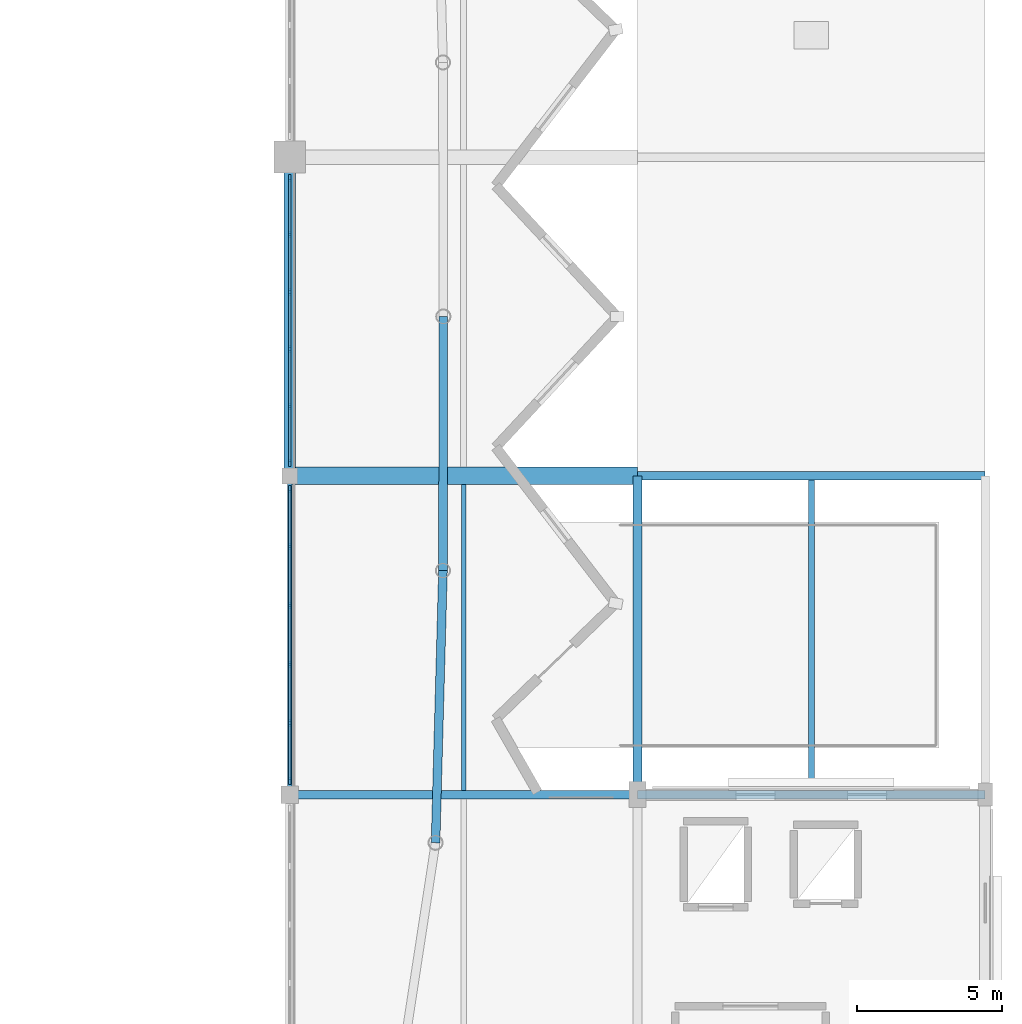
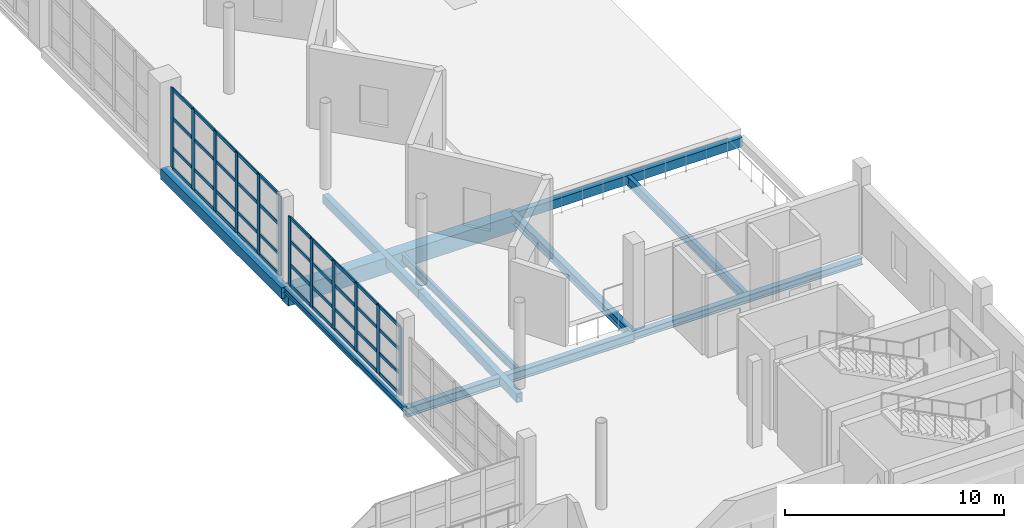
# One storey, part 19 of 53: 52 members, 11 beams, 2 elements without a shape of their own.
"""IFC4 building model written with IfcOpenShell, lengths in metres."""

from ifc_helpers import new_model, si_unit, direction, frame, origin, origin_2d, place, context, subcontext, project, spatial, rectangle, hollow_rectangle, i_section, extrude, material, material_profile, profile_set, type_object, element, aggregate, save


model = new_model("IFC4")

# Units and contexts
model_context = context("Model", 3, precision=1e-05, world=origin(), true_north=direction((0.0, 1.0)))
body_context = subcontext(model_context, "Body", "Model", "MODEL_VIEW")
ifc_project = project(units=[si_unit("LENGTHUNIT", "METRE"), si_unit("AREAUNIT", "SQUARE_METRE"), si_unit("VOLUMEUNIT", "CUBIC_METRE"), si_unit("PLANEANGLEUNIT", "RADIAN"), si_unit("MASSUNIT", "GRAM", prefix="KILO")], contexts=[model_context])

# Site, building, storey
site_placement = place(None, origin())
site = spatial("IfcSite", under=ifc_project, at=site_placement, CompositionType="ELEMENT")
building_placement = place(site_placement, origin())
building = spatial("IfcBuilding", under=site, at=building_placement, Name="Luwafu Chhajja Arena", CompositionType="ELEMENT")
storey_placement = place(building_placement, frame((0.0, 0.0, 19.5)))
storey = spatial("IfcBuildingStorey", under=building, at=storey_placement, Name="L04", CompositionType="ELEMENT", Elevation=19.5)

# Curtain wall, members
ifc_material_1 = material(Name="Anodised bronze aluminium", Category="aluminium")
curtain_wall_type = type_object("IfcCurtainWallType", Name="Media Ribbon Curtain Wall", PredefinedType="USERDEFINED", material=ifc_material_1)
curtain_wall_1_placement = place(storey_placement, origin())
curtain_wall_1 = element("IfcCurtainWall", 1, at=curtain_wall_1_placement, inside=storey, type_object=curtain_wall_type, Name="L04 Bowl Viewing Curtain Wall CWR-L04-21", ObjectType="CURTAIN WALL", PredefinedType="USERDEFINED")
ifc_material_profile_1 = material_profile(ifc_material_1, rectangle(XDim=0.070068359375, YDim=0.239990234375, at=origin_2d()), Name="CWM 70x240")
ifc_profile_set_1 = profile_set([ifc_material_profile_1], Name="Anodised bronze aluminium")
member_type_1 = type_object("IfcMemberType", Name="Bronze Curtain Wall Mullion 70x240", PredefinedType="MULLION", material=ifc_profile_set_1)
member_1_placement = place(storey_placement, frame((140.0, 33.47509765625, 0.0), z_axis=(0.0, 0.0, 1.0), x_axis=(-1.0, 0.0, 0.0)))
member_1 = element("IfcMember", 2, at=member_1_placement, type_object=member_type_1, Name="CW-03 mullion 1", PredefinedType="MULLION", context=body_context, shape_type="SweptSolid", body=[
    extrude(rectangle(XDim=0.070068359375, YDim=0.239990234375, at=origin_2d()), origin(), (0.0, 0.0, 1.0), 3.7900390625),
])
member_2_placement = place(storey_placement, frame((140.0, 35.468994140625, 0.0), z_axis=(0.0, 0.0, 1.0), x_axis=(-1.0, 0.0, 0.0)))
member_2 = element("IfcMember", 3, at=member_2_placement, type_object=member_type_1, Name="CW-03 mullion 2", PredefinedType="MULLION", context=body_context, shape_type="SweptSolid", body=[
    extrude(rectangle(XDim=0.070068359375, YDim=0.239990234375, at=origin_2d()), origin(), (0.0, 0.0, 1.0), 3.7900390625),
])
member_3_placement = place(storey_placement, frame((140.0, 37.498046875, 0.0), z_axis=(0.0, 0.0, 1.0), x_axis=(-1.0, 0.0, 0.0)))
member_3 = element("IfcMember", 4, at=member_3_placement, type_object=member_type_1, Name="CW-03 mullion 3", PredefinedType="MULLION", context=body_context, shape_type="SweptSolid", body=[
    extrude(rectangle(XDim=0.070068359375, YDim=0.239990234375, at=origin_2d()), origin(), (0.0, 0.0, 1.0), 3.7900390625),
])
member_4_placement = place(storey_placement, frame((140.0, 39.527099609375, 0.0), z_axis=(0.0, 0.0, 1.0), x_axis=(-1.0, 0.0, 0.0)))
member_4 = element("IfcMember", 5, at=member_4_placement, type_object=member_type_1, Name="CW-03 mullion 4", PredefinedType="MULLION", context=body_context, shape_type="SweptSolid", body=[
    extrude(rectangle(XDim=0.070068359375, YDim=0.239990234375, at=origin_2d()), origin(), (0.0, 0.0, 1.0), 3.7900390625),
])
member_5_placement = place(storey_placement, frame((140.0, 41.555908203125, 0.0), z_axis=(0.0, 0.0, 1.0), x_axis=(-1.0, 0.0, 0.0)))
member_5 = element("IfcMember", 6, at=member_5_placement, type_object=member_type_1, Name="CW-03 mullion 5", PredefinedType="MULLION", context=body_context, shape_type="SweptSolid", body=[
    extrude(rectangle(XDim=0.070068359375, YDim=0.239990234375, at=origin_2d()), origin(), (0.0, 0.0, 1.0), 3.7900390625),
])
member_6_placement = place(storey_placement, frame((140.0, 43.550048828125, 0.0), z_axis=(0.0, 0.0, 1.0), x_axis=(-1.0, 0.0, 0.0)))
member_6 = element("IfcMember", 7, at=member_6_placement, type_object=member_type_1, Name="CW-03 mullion 6", PredefinedType="MULLION", context=body_context, shape_type="SweptSolid", body=[
    extrude(rectangle(XDim=0.070068359375, YDim=0.239990234375, at=origin_2d()), origin(), (0.0, 0.0, 1.0), 3.7900390625),
])

curtain_wall_2_placement = place(storey_placement, origin())
curtain_wall_2 = element("IfcCurtainWall", 8, at=curtain_wall_2_placement, inside=storey, type_object=curtain_wall_type, Name="L04 Bowl Viewing Curtain Wall CWR-L04-22", ObjectType="CURTAIN WALL", PredefinedType="USERDEFINED")
member_7_placement = place(storey_placement, frame((140.0, 44.449951171875, 0.0), z_axis=(0.0, 0.0, 1.0), x_axis=(-1.0, 0.0, 0.0)))
member_7 = element("IfcMember", 9, at=member_7_placement, type_object=member_type_1, Name="CW-03 mullion 1", PredefinedType="MULLION", context=body_context, shape_type="SweptSolid", body=[
    extrude(rectangle(XDim=0.070068359375, YDim=0.239990234375, at=origin_2d()), origin(), (0.0, 0.0, 1.0), 4.4599609375),
])
member_8_placement = place(storey_placement, frame((140.0, 46.39404296875, 0.0), z_axis=(0.0, 0.0, 1.0), x_axis=(-1.0, 0.0, 0.0)))
member_8 = element("IfcMember", 10, at=member_8_placement, type_object=member_type_1, Name="CW-03 mullion 2", PredefinedType="MULLION", context=body_context, shape_type="SweptSolid", body=[
    extrude(rectangle(XDim=0.070068359375, YDim=0.239990234375, at=origin_2d()), origin(), (0.0, 0.0, 1.0), 4.4599609375),
])
member_9_placement = place(storey_placement, frame((140.0, 48.373046875, 0.0), z_axis=(0.0, 0.0, 1.0), x_axis=(-1.0, 0.0, 0.0)))
member_9 = element("IfcMember", 11, at=member_9_placement, type_object=member_type_1, Name="CW-03 mullion 3", PredefinedType="MULLION", context=body_context, shape_type="SweptSolid", body=[
    extrude(rectangle(XDim=0.070068359375, YDim=0.239990234375, at=origin_2d()), origin(), (0.0, 0.0, 1.0), 4.4599609375),
])
member_10_placement = place(storey_placement, frame((140.0, 50.35205078125, 0.0), z_axis=(0.0, 0.0, 1.0), x_axis=(-1.0, 0.0, 0.0)))
member_10 = element("IfcMember", 12, at=member_10_placement, type_object=member_type_1, Name="CW-03 mullion 4", PredefinedType="MULLION", context=body_context, shape_type="SweptSolid", body=[
    extrude(rectangle(XDim=0.070068359375, YDim=0.239990234375, at=origin_2d()), origin(), (0.0, 0.0, 1.0), 4.4599609375),
])
member_11_placement = place(storey_placement, frame((140.0, 52.3310546875, 0.0), z_axis=(0.0, 0.0, 1.0), x_axis=(-1.0, 0.0, 0.0)))
member_11 = element("IfcMember", 13, at=member_11_placement, type_object=member_type_1, Name="CW-03 mullion 5", PredefinedType="MULLION", context=body_context, shape_type="SweptSolid", body=[
    extrude(rectangle(XDim=0.070068359375, YDim=0.239990234375, at=origin_2d()), origin(), (0.0, 0.0, 1.0), 4.4599609375),
])
member_12_placement = place(storey_placement, frame((140.0, 54.27490234375, 0.0), z_axis=(0.0, 0.0, 1.0), x_axis=(-1.0, 0.0, 0.0)))
member_12 = element("IfcMember", 14, at=member_12_placement, type_object=member_type_1, Name="CW-03 mullion 6", PredefinedType="MULLION", context=body_context, shape_type="SweptSolid", body=[
    extrude(rectangle(XDim=0.070068359375, YDim=0.239990234375, at=origin_2d()), origin(), (0.0, 0.0, 1.0), 4.4599609375),
])

# Member
ifc_material_profile_2 = material_profile(ifc_material_1, rectangle(XDim=0.070068359375, YDim=0.179931640625, at=origin_2d()), Name="CWT 70x180")
ifc_profile_set_2 = profile_set([ifc_material_profile_2], Name="Anodised bronze aluminium")
member_type_2 = type_object("IfcMemberType", Name="Bronze Curtain Wall Transom 70x180", PredefinedType="USERDEFINED", material=ifc_profile_set_2)
member_13_placement = place(storey_placement, frame((140.0, 33.510009765625, 0.034912109375), z_axis=(0.0, 1.0, 0.0), x_axis=(-1.0, 0.0, 0.0)))
member_13 = element("IfcMember", 15, at=member_13_placement, type_object=member_type_2, Name="CW-03 transom 1.1", ObjectType="TRANSOM", PredefinedType="USERDEFINED", context=body_context, shape_type="SweptSolid", body=[
    extrude(rectangle(XDim=0.070068359375, YDim=0.179931640625, at=origin_2d()), origin(), (0.0, 0.0, 1.0), 1.924072265625),
])

member_14_placement = place(storey_placement, frame((140.0, 33.510009765625, 1.14990234375), z_axis=(0.0, 1.0, 0.0), x_axis=(-1.0, 0.0, 0.0)))
member_14 = element("IfcMember", 16, at=member_14_placement, type_object=member_type_2, Name="CW-03 transom 1.2", ObjectType="TRANSOM", PredefinedType="USERDEFINED", context=body_context, shape_type="SweptSolid", body=[
    extrude(rectangle(XDim=0.070068359375, YDim=0.179931640625, at=origin_2d()), origin(), (0.0, 0.0, 1.0), 1.924072265625),
])

member_15_placement = place(storey_placement, frame((140.0, 33.510009765625, 2.469970703125), z_axis=(0.0, 1.0, 0.0), x_axis=(-1.0, 0.0, 0.0)))
member_15 = element("IfcMember", 17, at=member_15_placement, type_object=member_type_2, Name="CW-03 transom 1.3", ObjectType="TRANSOM", PredefinedType="USERDEFINED", context=body_context, shape_type="SweptSolid", body=[
    extrude(rectangle(XDim=0.070068359375, YDim=0.179931640625, at=origin_2d()), origin(), (0.0, 0.0, 1.0), 1.924072265625),
])

member_16_placement = place(storey_placement, frame((140.0, 33.510009765625, 3.7548828125), z_axis=(0.0, 1.0, 0.0), x_axis=(-1.0, 0.0, 0.0)))
member_16 = element("IfcMember", 18, at=member_16_placement, type_object=member_type_2, Name="CW-03 transom 1.4", ObjectType="TRANSOM", PredefinedType="USERDEFINED", context=body_context, shape_type="SweptSolid", body=[
    extrude(rectangle(XDim=0.070068359375, YDim=0.179931640625, at=origin_2d()), origin(), (0.0, 0.0, 1.0), 1.924072265625),
])

member_17_placement = place(storey_placement, frame((140.0, 35.50390625, 0.034912109375), z_axis=(0.0, 1.0, 0.0), x_axis=(-1.0, 0.0, 0.0)))
member_17 = element("IfcMember", 19, at=member_17_placement, type_object=member_type_2, Name="CW-03 transom 2.1", ObjectType="TRANSOM", PredefinedType="USERDEFINED", context=body_context, shape_type="SweptSolid", body=[
    extrude(rectangle(XDim=0.070068359375, YDim=0.179931640625, at=origin_2d()), origin(), (0.0, 0.0, 1.0), 1.958984375),
])

member_18_placement = place(storey_placement, frame((140.0, 35.50390625, 1.14990234375), z_axis=(0.0, 1.0, 0.0), x_axis=(-1.0, 0.0, 0.0)))
member_18 = element("IfcMember", 20, at=member_18_placement, type_object=member_type_2, Name="CW-03 transom 2.2", ObjectType="TRANSOM", PredefinedType="USERDEFINED", context=body_context, shape_type="SweptSolid", body=[
    extrude(rectangle(XDim=0.070068359375, YDim=0.179931640625, at=origin_2d()), origin(), (0.0, 0.0, 1.0), 1.958984375),
])

member_19_placement = place(storey_placement, frame((140.0, 35.50390625, 2.469970703125), z_axis=(0.0, 1.0, 0.0), x_axis=(-1.0, 0.0, 0.0)))
member_19 = element("IfcMember", 21, at=member_19_placement, type_object=member_type_2, Name="CW-03 transom 2.3", ObjectType="TRANSOM", PredefinedType="USERDEFINED", context=body_context, shape_type="SweptSolid", body=[
    extrude(rectangle(XDim=0.070068359375, YDim=0.179931640625, at=origin_2d()), origin(), (0.0, 0.0, 1.0), 1.958984375),
])

member_20_placement = place(storey_placement, frame((140.0, 35.50390625, 3.7548828125), z_axis=(0.0, 1.0, 0.0), x_axis=(-1.0, 0.0, 0.0)))
member_20 = element("IfcMember", 22, at=member_20_placement, type_object=member_type_2, Name="CW-03 transom 2.4", ObjectType="TRANSOM", PredefinedType="USERDEFINED", context=body_context, shape_type="SweptSolid", body=[
    extrude(rectangle(XDim=0.070068359375, YDim=0.179931640625, at=origin_2d()), origin(), (0.0, 0.0, 1.0), 1.958984375),
])

member_21_placement = place(storey_placement, frame((140.0, 37.532958984375, 0.034912109375), z_axis=(0.0, 1.0, 0.0), x_axis=(-1.0, 0.0, 0.0)))
member_21 = element("IfcMember", 23, at=member_21_placement, type_object=member_type_2, Name="CW-03 transom 3.1", ObjectType="TRANSOM", PredefinedType="USERDEFINED", context=body_context, shape_type="SweptSolid", body=[
    extrude(rectangle(XDim=0.070068359375, YDim=0.179931640625, at=origin_2d()), origin(), (0.0, 0.0, 1.0), 1.958984375),
])

member_22_placement = place(storey_placement, frame((140.0, 37.532958984375, 1.14990234375), z_axis=(0.0, 1.0, 0.0), x_axis=(-1.0, 0.0, 0.0)))
member_22 = element("IfcMember", 24, at=member_22_placement, type_object=member_type_2, Name="CW-03 transom 3.2", ObjectType="TRANSOM", PredefinedType="USERDEFINED", context=body_context, shape_type="SweptSolid", body=[
    extrude(rectangle(XDim=0.070068359375, YDim=0.179931640625, at=origin_2d()), origin(), (0.0, 0.0, 1.0), 1.958984375),
])

member_23_placement = place(storey_placement, frame((140.0, 37.532958984375, 2.469970703125), z_axis=(0.0, 1.0, 0.0), x_axis=(-1.0, 0.0, 0.0)))
member_23 = element("IfcMember", 25, at=member_23_placement, type_object=member_type_2, Name="CW-03 transom 3.3", ObjectType="TRANSOM", PredefinedType="USERDEFINED", context=body_context, shape_type="SweptSolid", body=[
    extrude(rectangle(XDim=0.070068359375, YDim=0.179931640625, at=origin_2d()), origin(), (0.0, 0.0, 1.0), 1.958984375),
])

member_24_placement = place(storey_placement, frame((140.0, 37.532958984375, 3.7548828125), z_axis=(0.0, 1.0, 0.0), x_axis=(-1.0, 0.0, 0.0)))
member_24 = element("IfcMember", 26, at=member_24_placement, type_object=member_type_2, Name="CW-03 transom 3.4", ObjectType="TRANSOM", PredefinedType="USERDEFINED", context=body_context, shape_type="SweptSolid", body=[
    extrude(rectangle(XDim=0.070068359375, YDim=0.179931640625, at=origin_2d()), origin(), (0.0, 0.0, 1.0), 1.958984375),
])

member_25_placement = place(storey_placement, frame((140.0, 39.56201171875, 0.034912109375), z_axis=(0.0, 1.0, 0.0), x_axis=(-1.0, 0.0, 0.0)))
member_25 = element("IfcMember", 27, at=member_25_placement, type_object=member_type_2, Name="CW-03 transom 4.1", ObjectType="TRANSOM", PredefinedType="USERDEFINED", context=body_context, shape_type="SweptSolid", body=[
    extrude(rectangle(XDim=0.070068359375, YDim=0.179931640625, at=origin_2d()), origin(), (0.0, 0.0, 1.0), 1.958984375),
])

member_26_placement = place(storey_placement, frame((140.0, 39.56201171875, 1.14990234375), z_axis=(0.0, 1.0, 0.0), x_axis=(-1.0, 0.0, 0.0)))
member_26 = element("IfcMember", 28, at=member_26_placement, type_object=member_type_2, Name="CW-03 transom 4.2", ObjectType="TRANSOM", PredefinedType="USERDEFINED", context=body_context, shape_type="SweptSolid", body=[
    extrude(rectangle(XDim=0.070068359375, YDim=0.179931640625, at=origin_2d()), origin(), (0.0, 0.0, 1.0), 1.958984375),
])

member_27_placement = place(storey_placement, frame((140.0, 39.56201171875, 2.469970703125), z_axis=(0.0, 1.0, 0.0), x_axis=(-1.0, 0.0, 0.0)))
member_27 = element("IfcMember", 29, at=member_27_placement, type_object=member_type_2, Name="CW-03 transom 4.3", ObjectType="TRANSOM", PredefinedType="USERDEFINED", context=body_context, shape_type="SweptSolid", body=[
    extrude(rectangle(XDim=0.070068359375, YDim=0.179931640625, at=origin_2d()), origin(), (0.0, 0.0, 1.0), 1.958984375),
])

member_28_placement = place(storey_placement, frame((140.0, 39.56201171875, 3.7548828125), z_axis=(0.0, 1.0, 0.0), x_axis=(-1.0, 0.0, 0.0)))
member_28 = element("IfcMember", 30, at=member_28_placement, type_object=member_type_2, Name="CW-03 transom 4.4", ObjectType="TRANSOM", PredefinedType="USERDEFINED", context=body_context, shape_type="SweptSolid", body=[
    extrude(rectangle(XDim=0.070068359375, YDim=0.179931640625, at=origin_2d()), origin(), (0.0, 0.0, 1.0), 1.958984375),
])

member_29_placement = place(storey_placement, frame((140.0, 41.591064453125, 0.034912109375), z_axis=(0.0, 1.0, 0.0), x_axis=(-1.0, 0.0, 0.0)))
member_29 = element("IfcMember", 31, at=member_29_placement, type_object=member_type_2, Name="CW-03 transom 5.1", ObjectType="TRANSOM", PredefinedType="USERDEFINED", context=body_context, shape_type="SweptSolid", body=[
    extrude(rectangle(XDim=0.070068359375, YDim=0.179931640625, at=origin_2d()), origin(), (0.0, 0.0, 1.0), 1.923828125),
])

member_30_placement = place(storey_placement, frame((140.0, 41.591064453125, 1.14990234375), z_axis=(0.0, 1.0, 0.0), x_axis=(-1.0, 0.0, 0.0)))
member_30 = element("IfcMember", 32, at=member_30_placement, type_object=member_type_2, Name="CW-03 transom 5.2", ObjectType="TRANSOM", PredefinedType="USERDEFINED", context=body_context, shape_type="SweptSolid", body=[
    extrude(rectangle(XDim=0.070068359375, YDim=0.179931640625, at=origin_2d()), origin(), (0.0, 0.0, 1.0), 1.923828125),
])

member_31_placement = place(storey_placement, frame((140.0, 41.591064453125, 2.469970703125), z_axis=(0.0, 1.0, 0.0), x_axis=(-1.0, 0.0, 0.0)))
member_31 = element("IfcMember", 33, at=member_31_placement, type_object=member_type_2, Name="CW-03 transom 5.3", ObjectType="TRANSOM", PredefinedType="USERDEFINED", context=body_context, shape_type="SweptSolid", body=[
    extrude(rectangle(XDim=0.070068359375, YDim=0.179931640625, at=origin_2d()), origin(), (0.0, 0.0, 1.0), 1.923828125),
])

member_32_placement = place(storey_placement, frame((140.0, 41.591064453125, 3.7548828125), z_axis=(0.0, 1.0, 0.0), x_axis=(-1.0, 0.0, 0.0)))
member_32 = element("IfcMember", 34, at=member_32_placement, type_object=member_type_2, Name="CW-03 transom 5.4", ObjectType="TRANSOM", PredefinedType="USERDEFINED", context=body_context, shape_type="SweptSolid", body=[
    extrude(rectangle(XDim=0.070068359375, YDim=0.179931640625, at=origin_2d()), origin(), (0.0, 0.0, 1.0), 1.923828125),
])

aggregate(curtain_wall_1, [member_1, member_2, member_3, member_4, member_5, member_6, member_13, member_14, member_15, member_16, member_17, member_18, member_19, member_20, member_21, member_22, member_23, member_24, member_25, member_26, member_27, member_28, member_29, member_30, member_31, member_32])

member_33_placement = place(storey_placement, frame((140.0, 44.485107421875, 0.034912109375), z_axis=(0.0, 1.0, 0.0), x_axis=(-1.0, 0.0, 0.0)))
member_33 = element("IfcMember", 35, at=member_33_placement, type_object=member_type_2, Name="CW-03 transom 1.1", ObjectType="TRANSOM", PredefinedType="USERDEFINED", context=body_context, shape_type="SweptSolid", body=[
    extrude(rectangle(XDim=0.070068359375, YDim=0.179931640625, at=origin_2d()), origin(), (0.0, 0.0, 1.0), 1.873779296875),
])

member_34_placement = place(storey_placement, frame((140.0, 44.485107421875, 1.14990234375), z_axis=(0.0, 1.0, 0.0), x_axis=(-1.0, 0.0, 0.0)))
member_34 = element("IfcMember", 36, at=member_34_placement, type_object=member_type_2, Name="CW-03 transom 1.2", ObjectType="TRANSOM", PredefinedType="USERDEFINED", context=body_context, shape_type="SweptSolid", body=[
    extrude(rectangle(XDim=0.070068359375, YDim=0.179931640625, at=origin_2d()), origin(), (0.0, 0.0, 1.0), 1.873779296875),
])

member_35_placement = place(storey_placement, frame((140.0, 44.485107421875, 2.804931640625), z_axis=(0.0, 1.0, 0.0), x_axis=(-1.0, 0.0, 0.0)))
member_35 = element("IfcMember", 37, at=member_35_placement, type_object=member_type_2, Name="CW-03 transom 1.3", ObjectType="TRANSOM", PredefinedType="USERDEFINED", context=body_context, shape_type="SweptSolid", body=[
    extrude(rectangle(XDim=0.070068359375, YDim=0.179931640625, at=origin_2d()), origin(), (0.0, 0.0, 1.0), 1.873779296875),
])

member_36_placement = place(storey_placement, frame((140.0, 44.485107421875, 4.425048828125), z_axis=(0.0, 1.0, 0.0), x_axis=(-1.0, 0.0, 0.0)))
member_36 = element("IfcMember", 38, at=member_36_placement, type_object=member_type_2, Name="CW-03 transom 1.4", ObjectType="TRANSOM", PredefinedType="USERDEFINED", context=body_context, shape_type="SweptSolid", body=[
    extrude(rectangle(XDim=0.070068359375, YDim=0.179931640625, at=origin_2d()), origin(), (0.0, 0.0, 1.0), 1.873779296875),
])

member_37_placement = place(storey_placement, frame((140.0, 46.428955078125, 0.034912109375), z_axis=(0.0, 1.0, 0.0), x_axis=(-1.0, 0.0, 0.0)))
member_37 = element("IfcMember", 39, at=member_37_placement, type_object=member_type_2, Name="CW-03 transom 2.1", ObjectType="TRANSOM", PredefinedType="USERDEFINED", context=body_context, shape_type="SweptSolid", body=[
    extrude(rectangle(XDim=0.070068359375, YDim=0.179931640625, at=origin_2d()), origin(), (0.0, 0.0, 1.0), 1.908935546875),
])

member_38_placement = place(storey_placement, frame((140.0, 46.428955078125, 1.14990234375), z_axis=(0.0, 1.0, 0.0), x_axis=(-1.0, 0.0, 0.0)))
member_38 = element("IfcMember", 40, at=member_38_placement, type_object=member_type_2, Name="CW-03 transom 2.2", ObjectType="TRANSOM", PredefinedType="USERDEFINED", context=body_context, shape_type="SweptSolid", body=[
    extrude(rectangle(XDim=0.070068359375, YDim=0.179931640625, at=origin_2d()), origin(), (0.0, 0.0, 1.0), 1.908935546875),
])

member_39_placement = place(storey_placement, frame((140.0, 46.428955078125, 2.804931640625), z_axis=(0.0, 1.0, 0.0), x_axis=(-1.0, 0.0, 0.0)))
member_39 = element("IfcMember", 41, at=member_39_placement, type_object=member_type_2, Name="CW-03 transom 2.3", ObjectType="TRANSOM", PredefinedType="USERDEFINED", context=body_context, shape_type="SweptSolid", body=[
    extrude(rectangle(XDim=0.070068359375, YDim=0.179931640625, at=origin_2d()), origin(), (0.0, 0.0, 1.0), 1.908935546875),
])

member_40_placement = place(storey_placement, frame((140.0, 46.428955078125, 4.425048828125), z_axis=(0.0, 1.0, 0.0), x_axis=(-1.0, 0.0, 0.0)))
member_40 = element("IfcMember", 42, at=member_40_placement, type_object=member_type_2, Name="CW-03 transom 2.4", ObjectType="TRANSOM", PredefinedType="USERDEFINED", context=body_context, shape_type="SweptSolid", body=[
    extrude(rectangle(XDim=0.070068359375, YDim=0.179931640625, at=origin_2d()), origin(), (0.0, 0.0, 1.0), 1.908935546875),
])

member_41_placement = place(storey_placement, frame((140.0, 48.407958984375, 0.034912109375), z_axis=(0.0, 1.0, 0.0), x_axis=(-1.0, 0.0, 0.0)))
member_41 = element("IfcMember", 43, at=member_41_placement, type_object=member_type_2, Name="CW-03 transom 3.1", ObjectType="TRANSOM", PredefinedType="USERDEFINED", context=body_context, shape_type="SweptSolid", body=[
    extrude(rectangle(XDim=0.070068359375, YDim=0.179931640625, at=origin_2d()), origin(), (0.0, 0.0, 1.0), 1.908935546875),
])

member_42_placement = place(storey_placement, frame((140.0, 48.407958984375, 1.14990234375), z_axis=(0.0, 1.0, 0.0), x_axis=(-1.0, 0.0, 0.0)))
member_42 = element("IfcMember", 44, at=member_42_placement, type_object=member_type_2, Name="CW-03 transom 3.2", ObjectType="TRANSOM", PredefinedType="USERDEFINED", context=body_context, shape_type="SweptSolid", body=[
    extrude(rectangle(XDim=0.070068359375, YDim=0.179931640625, at=origin_2d()), origin(), (0.0, 0.0, 1.0), 1.908935546875),
])

member_43_placement = place(storey_placement, frame((140.0, 48.407958984375, 2.804931640625), z_axis=(0.0, 1.0, 0.0), x_axis=(-1.0, 0.0, 0.0)))
member_43 = element("IfcMember", 45, at=member_43_placement, type_object=member_type_2, Name="CW-03 transom 3.3", ObjectType="TRANSOM", PredefinedType="USERDEFINED", context=body_context, shape_type="SweptSolid", body=[
    extrude(rectangle(XDim=0.070068359375, YDim=0.179931640625, at=origin_2d()), origin(), (0.0, 0.0, 1.0), 1.908935546875),
])

member_44_placement = place(storey_placement, frame((140.0, 48.407958984375, 4.425048828125), z_axis=(0.0, 1.0, 0.0), x_axis=(-1.0, 0.0, 0.0)))
member_44 = element("IfcMember", 46, at=member_44_placement, type_object=member_type_2, Name="CW-03 transom 3.4", ObjectType="TRANSOM", PredefinedType="USERDEFINED", context=body_context, shape_type="SweptSolid", body=[
    extrude(rectangle(XDim=0.070068359375, YDim=0.179931640625, at=origin_2d()), origin(), (0.0, 0.0, 1.0), 1.908935546875),
])

member_45_placement = place(storey_placement, frame((140.0, 50.386962890625, 0.034912109375), z_axis=(0.0, 1.0, 0.0), x_axis=(-1.0, 0.0, 0.0)))
member_45 = element("IfcMember", 47, at=member_45_placement, type_object=member_type_2, Name="CW-03 transom 4.1", ObjectType="TRANSOM", PredefinedType="USERDEFINED", context=body_context, shape_type="SweptSolid", body=[
    extrude(rectangle(XDim=0.070068359375, YDim=0.179931640625, at=origin_2d()), origin(), (0.0, 0.0, 1.0), 1.908935546875),
])

member_46_placement = place(storey_placement, frame((140.0, 50.386962890625, 1.14990234375), z_axis=(0.0, 1.0, 0.0), x_axis=(-1.0, 0.0, 0.0)))
member_46 = element("IfcMember", 48, at=member_46_placement, type_object=member_type_2, Name="CW-03 transom 4.2", ObjectType="TRANSOM", PredefinedType="USERDEFINED", context=body_context, shape_type="SweptSolid", body=[
    extrude(rectangle(XDim=0.070068359375, YDim=0.179931640625, at=origin_2d()), origin(), (0.0, 0.0, 1.0), 1.908935546875),
])

member_47_placement = place(storey_placement, frame((140.0, 50.386962890625, 2.804931640625), z_axis=(0.0, 1.0, 0.0), x_axis=(-1.0, 0.0, 0.0)))
member_47 = element("IfcMember", 49, at=member_47_placement, type_object=member_type_2, Name="CW-03 transom 4.3", ObjectType="TRANSOM", PredefinedType="USERDEFINED", context=body_context, shape_type="SweptSolid", body=[
    extrude(rectangle(XDim=0.070068359375, YDim=0.179931640625, at=origin_2d()), origin(), (0.0, 0.0, 1.0), 1.908935546875),
])

member_48_placement = place(storey_placement, frame((140.0, 50.386962890625, 4.425048828125), z_axis=(0.0, 1.0, 0.0), x_axis=(-1.0, 0.0, 0.0)))
member_48 = element("IfcMember", 50, at=member_48_placement, type_object=member_type_2, Name="CW-03 transom 4.4", ObjectType="TRANSOM", PredefinedType="USERDEFINED", context=body_context, shape_type="SweptSolid", body=[
    extrude(rectangle(XDim=0.070068359375, YDim=0.179931640625, at=origin_2d()), origin(), (0.0, 0.0, 1.0), 1.908935546875),
])

member_49_placement = place(storey_placement, frame((140.0, 52.365966796875, 0.034912109375), z_axis=(0.0, 1.0, 0.0), x_axis=(-1.0, 0.0, 0.0)))
member_49 = element("IfcMember", 51, at=member_49_placement, type_object=member_type_2, Name="CW-03 transom 5.1", ObjectType="TRANSOM", PredefinedType="USERDEFINED", context=body_context, shape_type="SweptSolid", body=[
    extrude(rectangle(XDim=0.070068359375, YDim=0.179931640625, at=origin_2d()), origin(), (0.0, 0.0, 1.0), 1.8740234375),
])

member_50_placement = place(storey_placement, frame((140.0, 52.365966796875, 1.14990234375), z_axis=(0.0, 1.0, 0.0), x_axis=(-1.0, 0.0, 0.0)))
member_50 = element("IfcMember", 52, at=member_50_placement, type_object=member_type_2, Name="CW-03 transom 5.2", ObjectType="TRANSOM", PredefinedType="USERDEFINED", context=body_context, shape_type="SweptSolid", body=[
    extrude(rectangle(XDim=0.070068359375, YDim=0.179931640625, at=origin_2d()), origin(), (0.0, 0.0, 1.0), 1.8740234375),
])

member_51_placement = place(storey_placement, frame((140.0, 52.365966796875, 2.804931640625), z_axis=(0.0, 1.0, 0.0), x_axis=(-1.0, 0.0, 0.0)))
member_51 = element("IfcMember", 53, at=member_51_placement, type_object=member_type_2, Name="CW-03 transom 5.3", ObjectType="TRANSOM", PredefinedType="USERDEFINED", context=body_context, shape_type="SweptSolid", body=[
    extrude(rectangle(XDim=0.070068359375, YDim=0.179931640625, at=origin_2d()), origin(), (0.0, 0.0, 1.0), 1.8740234375),
])

member_52_placement = place(storey_placement, frame((140.0, 52.365966796875, 4.425048828125), z_axis=(0.0, 1.0, 0.0), x_axis=(-1.0, 0.0, 0.0)))
member_52 = element("IfcMember", 54, at=member_52_placement, type_object=member_type_2, Name="CW-03 transom 5.4", ObjectType="TRANSOM", PredefinedType="USERDEFINED", context=body_context, shape_type="SweptSolid", body=[
    extrude(rectangle(XDim=0.070068359375, YDim=0.179931640625, at=origin_2d()), origin(), (0.0, 0.0, 1.0), 1.8740234375),
])

aggregate(curtain_wall_2, [member_7, member_8, member_9, member_10, member_11, member_12, member_33, member_34, member_35, member_36, member_37, member_38, member_39, member_40, member_41, member_42, member_43, member_44, member_45, member_46, member_47, member_48, member_49, member_50, member_51, member_52])

# Beams
ifc_material_2 = material(Name="Steel S355", Category="steel")
ifc_material_profile_3 = material_profile(ifc_material_2, i_section(OverallWidth=0.165771484375, OverallDepth=0.306640625, WebThickness=0.006591796875, FlangeThickness=0.01171875, at=origin_2d()), Name="UB 305x165x46")
ifc_profile_set_3 = profile_set([ifc_material_profile_3], Name="Steel S355")
beam_type_1 = type_object("IfcBeamType", Name="Concourse Edge Spandrel Beam UB 305x165x46", PredefinedType="SPANDREL", material=ifc_profile_set_3)
beam_1_placement = place(storey_placement, frame((140.0, 33.0, -0.543212890625), z_axis=(0.0, 1.0, 0.0), x_axis=(-1.0, 0.0, 0.0)))
element("IfcBeam", 55, at=beam_1_placement, inside=storey, type_object=beam_type_1, Name="L04 Grid Beam 13/D-E", PredefinedType="SPANDREL", context=body_context, shape_type="SweptSolid", body=[
    extrude(i_section(OverallWidth=0.165771484375, OverallDepth=0.306640625, WebThickness=0.006591796875, FlangeThickness=0.01171875, at=origin_2d()), origin(), (0.0, 0.0, 1.0), 11.0),
])
ifc_material_3 = material(Name="Concrete C35/45", Category="concrete")
ifc_material_profile_4 = material_profile(ifc_material_3, rectangle(XDim=0.60009765625, YDim=0.89990234375, at=origin_2d()), Name="RC 600x900")
ifc_profile_set_4 = profile_set([ifc_material_profile_4], Name="Concrete C35/45")
beam_type_2 = type_object("IfcBeamType", Name="Concourse Primary Girder RC 600x900", PredefinedType="BEAM", material=ifc_profile_set_4)
beam_2_placement = place(storey_placement, frame((140.0, 44.0, -0.840087890625), z_axis=(1.0, 0.0, 0.0), x_axis=(0.0, 1.0, 0.0)))
element("IfcBeam", 56, at=beam_2_placement, inside=storey, type_object=beam_type_2, Name="L04 Grid Beam 13-14/E", PredefinedType="BEAM", context=body_context, shape_type="SweptSolid", body=[
    extrude(rectangle(XDim=0.60009765625, YDim=0.89990234375, at=origin_2d()), origin(), (0.0, 0.0, 1.0), 12.0),
])
ifc_material_profile_5 = material_profile(ifc_material_2, i_section(OverallWidth=0.15283203125, OverallDepth=0.45458984375, WebThickness=0.008056640625, FlangeThickness=0.01318359375, at=origin_2d()), Name="UB 457x152x60")
ifc_profile_set_5 = profile_set([ifc_material_profile_5], Name="Steel S355")
beam_type_3 = type_object("IfcBeamType", Name="Floor Joist UB 457x152x60", PredefinedType="JOIST", material=ifc_profile_set_5)
beam_3_placement = place(storey_placement, frame((146.0, 33.14990234375, -0.6171875), z_axis=(0.0, 1.0, 0.0), x_axis=(-1.0, 0.0, 0.0)))
element("IfcBeam", 57, at=beam_3_placement, inside=storey, type_object=beam_type_3, Name="L04 Secondary Joist 13-14/D", PredefinedType="JOIST", context=body_context, shape_type="SweptSolid", body=[
    extrude(i_section(OverallWidth=0.15283203125, OverallDepth=0.45458984375, WebThickness=0.008056640625, FlangeThickness=0.01318359375, at=origin_2d()), origin(), (0.0, 0.0, 1.0), 10.550048828125),
])
ifc_material_profile_6 = material_profile(ifc_material_2, i_section(OverallWidth=0.2099609375, OverallDepth=0.53662109375, WebThickness=0.0107421875, FlangeThickness=0.017333984375, at=origin_2d()), Name="UB 533x210x101")
ifc_profile_set_6 = profile_set([ifc_material_profile_6], Name="Steel S355")
beam_type_4 = type_object("IfcBeamType", Name="Floor Joist UB 533x210x101", PredefinedType="JOIST", material=ifc_profile_set_6)
beam_4_placement = place(storey_placement, frame((158.0, 33.14990234375, -0.658447265625), z_axis=(0.0, 1.0, 0.0), x_axis=(-1.0, 0.0, 0.0)))
element("IfcBeam", 58, at=beam_4_placement, inside=storey, type_object=beam_type_4, Name="L04 Secondary Joist 14-15/D", PredefinedType="JOIST", context=body_context, shape_type="SweptSolid", body=[
    extrude(i_section(OverallWidth=0.2099609375, OverallDepth=0.53662109375, WebThickness=0.0107421875, FlangeThickness=0.017333984375, at=origin_2d()), origin(), (0.0, 0.0, 1.0), 10.7001953125),
])
ifc_material_profile_7 = material_profile(ifc_material_2, hollow_rectangle(XDim=0.300048828125, YDim=0.5, WallThickness=0.02001953125, at=origin_2d()), Name="RHS 500x300x20")
ifc_profile_set_7 = profile_set([ifc_material_profile_7], Name="Steel S355")
beam_type_5 = type_object("IfcBeamType", Name="Pleated Drum Spandrel Beam RHS 500x300", PredefinedType="SPANDREL", material=ifc_profile_set_7)
beam_5_placement = place(storey_placement, frame((152.0, 44.0, -0.639892578125), z_axis=(1.0, 0.0, 0.0), x_axis=(0.0, 1.0, 0.0)))
element("IfcBeam", 59, at=beam_5_placement, inside=storey, type_object=beam_type_5, Name="L04 Grid Beam 14-15/E", PredefinedType="SPANDREL", context=body_context, shape_type="SweptSolid", body=[
    extrude(hollow_rectangle(XDim=0.300048828125, YDim=0.5, WallThickness=0.02001953125, at=origin_2d()), origin(), (0.0, 0.0, 1.0), 12.0),
])
beam_6_placement = place(storey_placement, frame((145.031982421875, 31.3388671875, -0.639892578125), z_axis=(0.02720805866, 0.999629792245, 0.0), x_axis=(-0.999629792245, 0.02720805866, 0.0)))
element("IfcBeam", 60, at=beam_6_placement, inside=storey, type_object=beam_type_5, Name="L04 Drum Ring Spandrel D31-D32", PredefinedType="SPANDREL", context=body_context, shape_type="SweptSolid", body=[
    extrude(hollow_rectangle(XDim=0.300048828125, YDim=0.5, WallThickness=0.02001953125, at=origin_2d()), origin(), (0.0, 0.0, 1.0), 9.394775390625),
])
beam_7_placement = place(storey_placement, frame((145.28759765625, 40.730224609375, -0.639892578125), z_axis=(0.001419780869, 0.999998992111, 0.0), x_axis=(-0.999998992111, 0.001419780869, 0.0)))
element("IfcBeam", 61, at=beam_7_placement, inside=storey, type_object=beam_type_5, Name="L04 Drum Ring Spandrel D32-D01", PredefinedType="SPANDREL", context=body_context, shape_type="SweptSolid", body=[
    extrude(hollow_rectangle(XDim=0.300048828125, YDim=0.5, WallThickness=0.02001953125, at=origin_2d()), origin(), (0.0, 0.0, 1.0), 8.769775390625),
])
ifc_material_profile_8 = material_profile(ifc_material_3, rectangle(XDim=0.39990234375, YDim=0.60009765625, at=origin_2d()), Name="RC 400x600")
ifc_profile_set_8 = profile_set([ifc_material_profile_8], Name="Concrete C35/45")
beam_type_6 = type_object("IfcBeamType", Name="Podium Perimeter Spandrel RC 400x600", PredefinedType="SPANDREL", material=ifc_profile_set_8)
beam_8_placement = place(storey_placement, frame((140.0, 44.0, -0.68994140625), z_axis=(0.0, 1.0, 0.0), x_axis=(-1.0, 0.0, 0.0)))
element("IfcBeam", 62, at=beam_8_placement, inside=storey, type_object=beam_type_6, Name="L04 Grid Beam 13/E-F", PredefinedType="SPANDREL", context=body_context, shape_type="SweptSolid", body=[
    extrude(rectangle(XDim=0.39990234375, YDim=0.60009765625, at=origin_2d()), origin(), (0.0, 0.0, 1.0), 11.0),
])
ifc_material_profile_9 = material_profile(ifc_material_2, i_section(OverallWidth=0.300048828125, OverallDepth=0.5, WebThickness=0.014404296875, FlangeThickness=0.028076171875, at=origin_2d()), Name="HEB 500")
ifc_profile_set_9 = profile_set([ifc_material_profile_9], Name="Steel S355")
beam_type_7 = type_object("IfcBeamType", Name="Steel Atrium Tie Girder HEB 500", PredefinedType="BEAM", material=ifc_profile_set_9)
beam_9_placement = place(storey_placement, frame((140.0, 33.0, -0.639892578125), z_axis=(1.0, 0.0, 0.0), x_axis=(0.0, 1.0, 0.0)))
element("IfcBeam", 63, at=beam_9_placement, inside=storey, type_object=beam_type_7, Name="L04 Grid Beam 13-14/D", PredefinedType="BEAM", context=body_context, shape_type="SweptSolid", body=[
    extrude(i_section(OverallWidth=0.300048828125, OverallDepth=0.5, WebThickness=0.014404296875, FlangeThickness=0.028076171875, at=origin_2d()), origin(), (0.0, 0.0, 1.0), 12.0),
])
beam_10_placement = place(storey_placement, frame((152.0, 33.0, -0.639892578125), z_axis=(0.0, 1.0, 0.0), x_axis=(-1.0, 0.0, 0.0)))
element("IfcBeam", 64, at=beam_10_placement, inside=storey, type_object=beam_type_7, Name="L04 Grid Beam 14/D-E", PredefinedType="BEAM", context=body_context, shape_type="SweptSolid", body=[
    extrude(i_section(OverallWidth=0.300048828125, OverallDepth=0.5, WebThickness=0.014404296875, FlangeThickness=0.028076171875, at=origin_2d()), origin(), (0.0, 0.0, 1.0), 11.0),
])
ifc_material_profile_10 = material_profile(ifc_material_2, i_section(OverallWidth=0.300048828125, OverallDepth=0.39990234375, WebThickness=0.013427734375, FlangeThickness=0.02392578125, at=origin_2d()), Name="HEB 400")
ifc_profile_set_10 = profile_set([ifc_material_profile_10], Name="Steel S355")
beam_type_8 = type_object("IfcBeamType", Name="Steel Rigging Grid Beam HEB 400", PredefinedType="BEAM", material=ifc_profile_set_10)
beam_11_placement = place(storey_placement, frame((152.0, 33.0, -0.590087890625), z_axis=(1.0, 0.0, 0.0), x_axis=(0.0, 1.0, 0.0)))
element("IfcBeam", 65, at=beam_11_placement, inside=storey, type_object=beam_type_8, Name="L04 Grid Beam 14-15/D", PredefinedType="BEAM", context=body_context, shape_type="SweptSolid", body=[
    extrude(i_section(OverallWidth=0.300048828125, OverallDepth=0.39990234375, WebThickness=0.013427734375, FlangeThickness=0.02392578125, at=origin_2d()), origin(), (0.0, 0.0, 1.0), 12.0),
])

save(model, "model.ifc")
